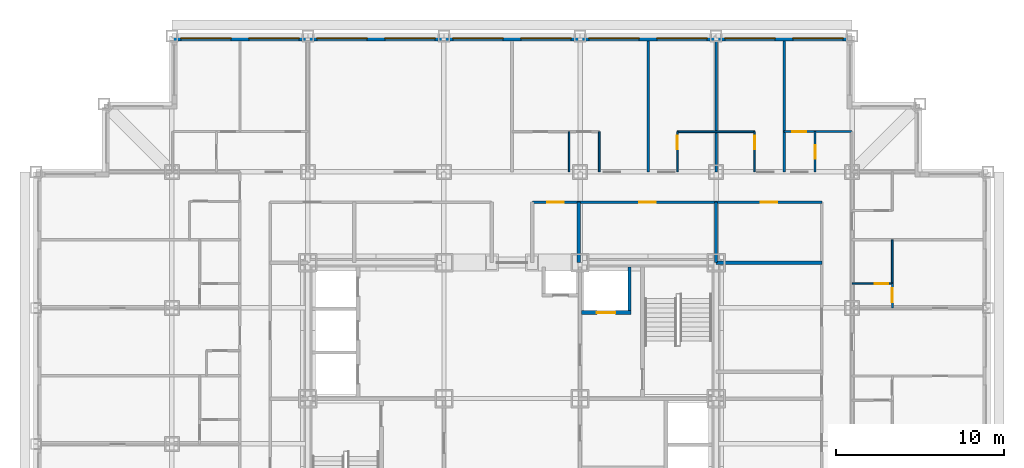
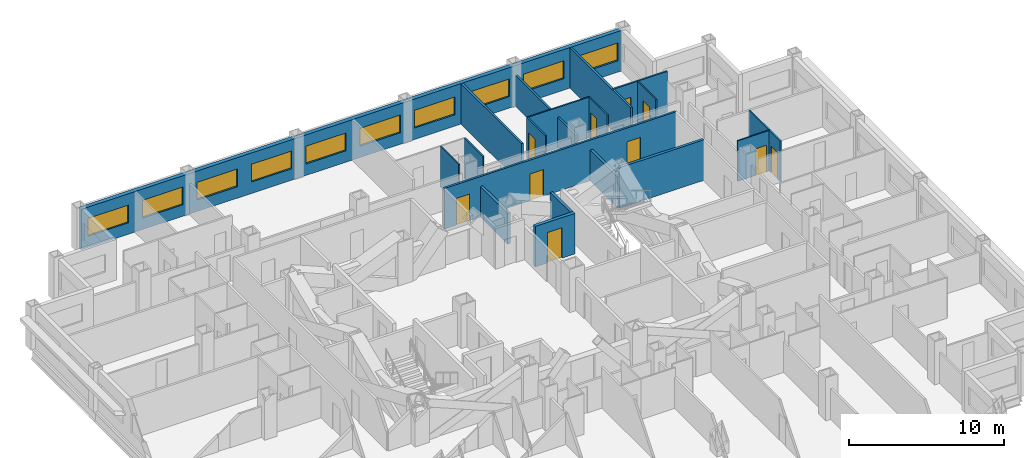
# One storey, part 10 of 12: 20 walls, 10 doors, 10 windows, 20 openings.
"""IFC4 building model written with IfcOpenShell, lengths in metres."""

from ifc_helpers import new_model, si_unit, direction, frame, frame_2d, origin, place, context, subcontext, project, spatial, rectangle, extrude, material, layer, layer_set, type_object, element, fill, save


model = new_model("IFC4")

# Units and contexts
model_context = context("Model", 3, precision=1e-05, world=origin(), true_north=direction((0.0, 1.0)))
body_context = subcontext(model_context, "Body", "Model", "MODEL_VIEW")
ifc_project = project(units=[si_unit("LENGTHUNIT", "METRE"), si_unit("AREAUNIT", "SQUARE_METRE"), si_unit("VOLUMEUNIT", "CUBIC_METRE"), si_unit("PLANEANGLEUNIT", "RADIAN"), si_unit("MASSUNIT", "GRAM", prefix="KILO")], contexts=[model_context])

# Site, building, storey
site_placement = place(None, origin())
site = spatial("IfcSite", under=ifc_project, at=site_placement, CompositionType="ELEMENT")
building_placement = place(site_placement, origin())
building = spatial("IfcBuilding", under=site, at=building_placement, Name="Kopane Lantern Tower", CompositionType="ELEMENT")
storey_placement = place(building_placement, frame((0.0, 0.0, 147.60009765625)))
storey = spatial("IfcBuildingStorey", under=building, at=storey_placement, Name="L38", CompositionType="ELEMENT", Elevation=147.60009765625)

# Wall, opening, door
ifc_material_1 = material(Name="Gypsum board on steel studs", Category="steel")
ifc_layer_1 = layer(ifc_material_1, 0.1201171875)
ifc_layer_set_1 = layer_set([ifc_layer_1], Name="APARTMENT INTERNAL WALL 120")
wall_type_1 = type_object("IfcWallType", Name="APARTMENT INTERNAL WALL 120", PredefinedType="PARTITIONING", material=ifc_layer_set_1)
wall_1_placement = place(storey_placement, frame((44.550048828125, 48.300048828125, 0.0), z_axis=(0.0, 0.0, 1.0), x_axis=(1.0, 0.0, 0.0)))
wall_1 = element("IfcWall", 1, at=wall_1_placement, inside=storey, type_object=wall_type_1, Name="Apartment Internal Wall 120 L38", PredefinedType="PARTITIONING", context=body_context, shape_type="SweptSolid", body=[
    extrude(rectangle(XDim=4.050048828125, YDim=0.1201171875, at=frame_2d((2.02490234375, 0.0))), origin(), (0.0, 0.0, 1.0), 3.18994140625),
])
opening_1_placement = place(wall_1_placement, frame((0.47509765625, 0.0, 0.0)))
opening_1 = element("IfcOpeningElement", 2, at=opening_1_placement, cuts=wall_1, Name="Opening L38-068", PredefinedType="OPENING", context=body_context, shape_type="SweptSolid", body=[
    extrude(rectangle(XDim=0.85009765625, YDim=2.10009765625, at=frame_2d((0.425048828125, 1.050048828125))), frame((0.0, 0.070068359375, 0.0), z_axis=(0.0, -1.0, 0.0), x_axis=(1.0, 0.0, 0.0)), (0.0, 0.0, 1.0), 0.14013671875),
])
ifc_material_2 = material(Name="Timber door set", Category="wood")
door_type_1 = type_object("IfcDoorType", Name="DOOR D4 850x2100", OperationType="SINGLE_SWING_LEFT", PredefinedType="DOOR", material=ifc_material_2)
door_1_placement = place(opening_1_placement, origin())
door_1 = element("IfcDoor", 3, at=door_1_placement, inside=storey, type_object=door_type_1, Name="Door L38-068", OperationType="SINGLE_SWING_LEFT", OverallHeight=2.10009765625, OverallWidth=0.85009765625, PredefinedType="DOOR", context=body_context, shape_type="SweptSolid", body=[
    extrude(rectangle(XDim=0.85009765625, YDim=2.10009765625, at=frame_2d((0.425048828125, 1.050048828125))), frame((0.0, 0.02490234375, 0.0), z_axis=(0.0, -1.0, 0.0), x_axis=(1.0, 0.0, 0.0)), (0.0, 0.0, 1.0), 0.050048828125),
])
fill(opening_1, door_1)

wall_2_placement = place(storey_placement, frame((51.0, 39.260009765625, 0.0), z_axis=(0.0, 0.0, 1.0), x_axis=(0.0, -1.0, 0.0)))
wall_2 = element("IfcWall", 4, at=wall_2_placement, inside=storey, type_object=wall_type_1, Name="Apartment Internal Wall 120 L38", PredefinedType="PARTITIONING", context=body_context, shape_type="SweptSolid", body=[
    extrude(rectangle(XDim=1.4599609375, YDim=0.1201171875, at=frame_2d((0.72998046875, 0.0))), origin(), (0.0, 0.0, 1.0), 3.18994140625),
])
opening_2_placement = place(wall_2_placement, frame((0.27490234375, 0.0, 0.0)))
opening_2 = element("IfcOpeningElement", 5, at=opening_2_placement, cuts=wall_2, Name="Opening L38-080", PredefinedType="OPENING", context=body_context, shape_type="SweptSolid", body=[
    extrude(rectangle(XDim=0.85009765625, YDim=2.10009765625, at=frame_2d((0.425048828125, 1.050048828125))), frame((0.0, 0.070068359375, 0.0), z_axis=(0.0, -1.0, 0.0), x_axis=(1.0, 0.0, 0.0)), (0.0, 0.0, 1.0), 0.14013671875),
])
door_2_placement = place(opening_2_placement, origin())
door_2 = element("IfcDoor", 6, at=door_2_placement, inside=storey, type_object=door_type_1, Name="Door L38-080", OperationType="SINGLE_SWING_RIGHT", OverallHeight=2.10009765625, OverallWidth=0.85009765625, PredefinedType="DOOR", context=body_context, shape_type="SweptSolid", body=[
    extrude(rectangle(XDim=0.85009765625, YDim=2.10009765625, at=frame_2d((0.425048828125, 1.050048828125))), frame((0.0, 0.02490234375, 0.0), z_axis=(0.0, -1.0, 0.0), x_axis=(1.0, 0.0, 0.0)), (0.0, 0.0, 1.0), 0.050048828125),
])
fill(opening_2, door_2)

# Walls
ifc_material_3 = material(Name="Moisture-resistant board on steel studs", Category="steel")
ifc_layer_2 = layer(ifc_material_3, 0.10009765625)
ifc_layer_set_2 = layer_set([ifc_layer_2], Name="BATHROOM WALL 100")
wall_type_2 = type_object("IfcWallType", Name="BATHROOM WALL 100", PredefinedType="PARTITIONING", material=ifc_layer_set_2)
for number, where, z_axis, x_axis, name in (
    (7, (31.75, 45.89990234375, 0.0), (0.0, 0.0, 1.0), (0.0, 1.0, 0.0), "Bathroom Wall 100 L38"),
    (8, (33.550048828125, 45.89990234375, 0.0), (0.0, 0.0, 1.0), (0.0, 1.0, 0.0), "Bathroom Wall 100 L38"),
):
    element("IfcWall", number, at=place(storey_placement, frame(where, z_axis=z_axis, x_axis=x_axis)), inside=storey, type_object=wall_type_2, Name=name, PredefinedType="PARTITIONING", context=body_context, shape_type="SweptSolid", body=[
        extrude(rectangle(XDim=2.400146484375, YDim=0.10009765625, at=frame_2d((1.2001953125, 0.0))), origin(), (0.0, 0.0, 1.0), 3.18994140625),
    ])
wall_3_placement = place(storey_placement, frame((38.199951171875, 48.300048828125, 0.0), z_axis=(0.0, 0.0, 1.0), x_axis=(1.0, 0.0, 0.0)))
element("IfcWall", 9, at=wall_3_placement, inside=storey, type_object=wall_type_2, Name="Bathroom Wall 100 L38", PredefinedType="PARTITIONING", context=body_context, shape_type="SweptSolid", body=[
    extrude(rectangle(XDim=4.60009765625, YDim=0.10009765625, at=frame_2d((2.300048828125, 0.0))), origin(), (0.0, 0.0, 1.0), 3.18994140625),
])

# Wall, opening, door
wall_4_placement = place(storey_placement, frame((38.199951171875, 45.89990234375, 0.0), z_axis=(0.0, 0.0, 1.0), x_axis=(0.0, 1.0, 0.0)))
wall_4 = element("IfcWall", 10, at=wall_4_placement, inside=storey, type_object=wall_type_2, Name="Bathroom Wall 100 L38", PredefinedType="PARTITIONING", context=body_context, shape_type="SweptSolid", body=[
    extrude(rectangle(XDim=2.400146484375, YDim=0.10009765625, at=frame_2d((1.2001953125, 0.0))), origin(), (0.0, 0.0, 1.0), 3.18994140625),
])
opening_3_placement = place(wall_4_placement, frame((1.35009765625, 0.0, 0.0)))
opening_3 = element("IfcOpeningElement", 11, at=opening_3_placement, cuts=wall_4, Name="Opening L38-030", PredefinedType="OPENING", context=body_context, shape_type="SweptSolid", body=[
    extrude(rectangle(XDim=0.800048828125, YDim=2.10009765625, at=frame_2d((0.39990234375, 1.050048828125))), frame((0.0, 0.06005859375, 0.0), z_axis=(0.0, -1.0, 0.0), x_axis=(1.0, 0.0, 0.0)), (0.0, 0.0, 1.0), 0.1201171875),
])
ifc_material_4 = material(Name="Timber door set", Category="wood")
door_type_2 = type_object("IfcDoorType", Name="DOOR D2 800x2100", OperationType="SINGLE_SWING_LEFT", PredefinedType="DOOR", material=ifc_material_4)
door_3_placement = place(opening_3_placement, origin())
door_3 = element("IfcDoor", 12, at=door_3_placement, inside=storey, type_object=door_type_2, Name="Door L38-030", OperationType="SINGLE_SWING_LEFT", OverallHeight=2.10009765625, OverallWidth=0.800048828125, PredefinedType="DOOR", context=body_context, shape_type="SweptSolid", body=[
    extrude(rectangle(XDim=0.800048828125, YDim=2.10009765625, at=frame_2d((0.39990234375, 1.050048828125))), frame((0.0, 0.02490234375, 0.0), z_axis=(0.0, -1.0, 0.0), x_axis=(1.0, 0.0, 0.0)), (0.0, 0.0, 1.0), 0.050048828125),
])
fill(opening_3, door_3)

wall_5_placement = place(storey_placement, frame((42.800048828125, 45.89990234375, 0.0), z_axis=(0.0, 0.0, 1.0), x_axis=(0.0, 1.0, 0.0)))
wall_5 = element("IfcWall", 13, at=wall_5_placement, inside=storey, type_object=wall_type_2, Name="Bathroom Wall 100 L38", PredefinedType="PARTITIONING", context=body_context, shape_type="SweptSolid", body=[
    extrude(rectangle(XDim=2.400146484375, YDim=0.10009765625, at=frame_2d((1.2001953125, 0.0))), origin(), (0.0, 0.0, 1.0), 3.18994140625),
])
opening_4_placement = place(wall_5_placement, frame((1.35009765625, 0.0, 0.0)))
opening_4 = element("IfcOpeningElement", 14, at=opening_4_placement, cuts=wall_5, Name="Opening L38-032", PredefinedType="OPENING", context=body_context, shape_type="SweptSolid", body=[
    extrude(rectangle(XDim=0.800048828125, YDim=2.10009765625, at=frame_2d((0.39990234375, 1.050048828125))), frame((0.0, 0.06005859375, 0.0), z_axis=(0.0, -1.0, 0.0), x_axis=(1.0, 0.0, 0.0)), (0.0, 0.0, 1.0), 0.1201171875),
])
door_4_placement = place(opening_4_placement, origin())
door_4 = element("IfcDoor", 15, at=door_4_placement, inside=storey, type_object=door_type_2, Name="Door L38-032", OperationType="SINGLE_SWING_RIGHT", OverallHeight=2.10009765625, OverallWidth=0.800048828125, PredefinedType="DOOR", context=body_context, shape_type="SweptSolid", body=[
    extrude(rectangle(XDim=0.800048828125, YDim=2.10009765625, at=frame_2d((0.39990234375, 1.050048828125))), frame((0.0, 0.02490234375, 0.0), z_axis=(0.0, -1.0, 0.0), x_axis=(1.0, 0.0, 0.0)), (0.0, 0.0, 1.0), 0.050048828125),
])
fill(opening_4, door_4)

# Wall
wall_6_placement = place(storey_placement, frame((51.0, 39.25, 0.0), z_axis=(0.0, 0.0, 1.0), x_axis=(0.0, 1.0, 0.0)))
element("IfcWall", 16, at=wall_6_placement, inside=storey, type_object=wall_type_2, Name="Bathroom Wall 100 L38", PredefinedType="PARTITIONING", context=body_context, shape_type="SweptSolid", body=[
    extrude(rectangle(XDim=2.60009765625, YDim=0.10009765625, at=frame_2d((1.300048828125, 0.0))), origin(), (0.0, 0.0, 1.0), 3.18994140625),
])

# Wall, opening, door
wall_7_placement = place(storey_placement, frame((48.60009765625, 39.25, 0.0), z_axis=(0.0, 0.0, 1.0), x_axis=(1.0, 0.0, 0.0)))
wall_7 = element("IfcWall", 17, at=wall_7_placement, inside=storey, type_object=wall_type_2, Name="Bathroom Wall 100 L38", PredefinedType="PARTITIONING", context=body_context, shape_type="SweptSolid", body=[
    extrude(rectangle(XDim=2.39990234375, YDim=0.10009765625, at=frame_2d((1.199951171875, 0.0))), origin(), (0.0, 0.0, 1.0), 3.18994140625),
])
opening_5_placement = place(wall_7_placement, frame((1.35009765625, 0.0, 0.0)))
opening_5 = element("IfcOpeningElement", 18, at=opening_5_placement, cuts=wall_7, Name="Opening L38-052", PredefinedType="OPENING", context=body_context, shape_type="SweptSolid", body=[
    extrude(rectangle(XDim=0.800048828125, YDim=2.10009765625, at=frame_2d((0.39990234375, 1.050048828125))), frame((0.0, 0.06005859375, 0.0), z_axis=(0.0, -1.0, 0.0), x_axis=(1.0, 0.0, 0.0)), (0.0, 0.0, 1.0), 0.1201171875),
])
door_5_placement = place(opening_5_placement, origin())
door_5 = element("IfcDoor", 19, at=door_5_placement, inside=storey, type_object=door_type_2, Name="Door L38-052", OperationType="SINGLE_SWING_LEFT", OverallHeight=2.10009765625, OverallWidth=0.800048828125, PredefinedType="DOOR", context=body_context, shape_type="SweptSolid", body=[
    extrude(rectangle(XDim=0.800048828125, YDim=2.10009765625, at=frame_2d((0.39990234375, 1.050048828125))), frame((0.0, 0.02490234375, 0.0), z_axis=(0.0, -1.0, 0.0), x_axis=(1.0, 0.0, 0.0)), (0.0, 0.0, 1.0), 0.050048828125),
])
fill(opening_5, door_5)

wall_8_placement = place(storey_placement, frame((46.39990234375, 45.89990234375, 0.0), z_axis=(0.0, 0.0, 1.0), x_axis=(0.0, 1.0, 0.0)))
wall_8 = element("IfcWall", 20, at=wall_8_placement, inside=storey, type_object=wall_type_2, Name="Bathroom Wall 100 L38", PredefinedType="PARTITIONING", context=body_context, shape_type="SweptSolid", body=[
    extrude(rectangle(XDim=2.400146484375, YDim=0.10009765625, at=frame_2d((1.2001953125, 0.0))), origin(), (0.0, 0.0, 1.0), 3.18994140625),
])
opening_6_placement = place(wall_8_placement, frame((0.800048828125, 0.0, 0.0)))
opening_6 = element("IfcOpeningElement", 21, at=opening_6_placement, cuts=wall_8, Name="Opening L38-066", PredefinedType="OPENING", context=body_context, shape_type="SweptSolid", body=[
    extrude(rectangle(XDim=0.800048828125, YDim=2.10009765625, at=frame_2d((0.39990234375, 1.050048828125))), frame((0.0, 0.06005859375, 0.0), z_axis=(0.0, -1.0, 0.0), x_axis=(1.0, 0.0, 0.0)), (0.0, 0.0, 1.0), 0.1201171875),
])
door_6_placement = place(opening_6_placement, origin())
door_6 = element("IfcDoor", 22, at=door_6_placement, inside=storey, type_object=door_type_2, Name="Door L38-066", OperationType="SINGLE_SWING_RIGHT", OverallHeight=2.10009765625, OverallWidth=0.800048828125, PredefinedType="DOOR", context=body_context, shape_type="SweptSolid", body=[
    extrude(rectangle(XDim=0.800048828125, YDim=2.10009765625, at=frame_2d((0.39990234375, 1.050048828125))), frame((0.0, 0.02490234375, 0.0), z_axis=(0.0, -1.0, 0.0), x_axis=(1.0, 0.0, 0.0)), (0.0, 0.0, 1.0), 0.050048828125),
])
fill(opening_6, door_6)

ifc_material_5 = material(Name="Gypsum shaft wall EI 120", Category="gypsum")
ifc_layer_3 = layer(ifc_material_5, 0.25)
ifc_layer_set_3 = layer_set([ifc_layer_3], Name="CORE SHAFT WALL 250 EI 120")
wall_type_3 = type_object("IfcWallType", Name="CORE SHAFT WALL 250 EI 120", PredefinedType="SOLIDWALL", material=ifc_layer_set_3)
wall_9_placement = place(storey_placement, frame((32.5, 37.52490234375, 0.0), z_axis=(0.0, 0.0, 1.0), x_axis=(1.0, 0.0, 0.0)))
wall_9 = element("IfcWall", 23, at=wall_9_placement, inside=storey, type_object=wall_type_3, Name="Core shaft wall L38 YLF2", PredefinedType="SOLIDWALL", context=body_context, shape_type="SweptSolid", body=[
    extrude(rectangle(XDim=2.949951171875, YDim=0.25, at=frame_2d((1.47509765625, 0.0))), origin(), (0.0, 0.0, 1.0), 3.18994140625),
])
opening_7_placement = place(wall_9_placement, frame((0.89990234375, 0.0, 0.0)))
opening_7 = element("IfcOpeningElement", 24, at=opening_7_placement, cuts=wall_9, Name="Opening 38.LD-LF2", PredefinedType="OPENING", context=body_context, shape_type="SweptSolid", body=[
    extrude(rectangle(XDim=1.10009765625, YDim=2.39990234375, at=frame_2d((0.550048828125, 1.199951171875))), frame((0.0, 0.135009765625, 0.0), z_axis=(0.0, -1.0, 0.0), x_axis=(1.0, 0.0, 0.0)), (0.0, 0.0, 1.0), 0.27001953125),
])
ifc_material_6 = material(Name="Steel door set", Category="steel")
door_type_3 = type_object("IfcDoorType", Name="LIFT LANDING DOOR 1100x2400 FD60", OperationType="DOUBLE_DOOR_SLIDING", PredefinedType="DOOR", material=ifc_material_6)
door_7_placement = place(opening_7_placement, origin())
door_7 = element("IfcDoor", 25, at=door_7_placement, inside=storey, type_object=door_type_3, Name="Landing door LF2 L38", OperationType="DOUBLE_DOOR_SLIDING", OverallHeight=2.39990234375, OverallWidth=1.10009765625, PredefinedType="DOOR", context=body_context, shape_type="SweptSolid", body=[
    extrude(rectangle(XDim=1.10009765625, YDim=2.39990234375, at=frame_2d((0.550048828125, 1.199951171875))), frame((0.0, 0.02490234375, 0.0), z_axis=(0.0, -1.0, 0.0), x_axis=(1.0, 0.0, 0.0)), (0.0, 0.0, 1.0), 0.050048828125),
])
fill(opening_7, door_7)

# Wall, openings, doors
ifc_material_7 = material(Name="Gypsum board on steel studs", Category="steel")
ifc_layer_4 = layer(ifc_material_7, 0.14990234375)
ifc_layer_set_4 = layer_set([ifc_layer_4], Name="CORRIDOR WALL 150 EI 60")
wall_type_4 = type_object("IfcWallType", Name="CORRIDOR WALL 150 EI 60", PredefinedType="PARTITIONING", material=ifc_layer_set_4)
wall_10_placement = place(storey_placement, frame((46.800048828125, 44.10009765625, 0.0), z_axis=(0.0, 0.0, 1.0), x_axis=(-1.0, 0.0, 0.0)))
wall_10 = element("IfcWall", 26, at=wall_10_placement, inside=storey, type_object=wall_type_4, Name="Corridor Wall 150 Ei 60 L38", PredefinedType="PARTITIONING", context=body_context, shape_type="SweptSolid", body=[
    extrude(rectangle(XDim=17.239990234375, YDim=0.14990234375, at=frame_2d((8.6201171875, 0.0))), origin(), (0.0, 0.0, 1.0), 3.18994140625),
])
opening_8_placement = place(wall_10_placement, frame((15.361083984375, 0.0, 0.0)))
opening_8 = element("IfcOpeningElement", 27, at=opening_8_placement, cuts=wall_10, Name="Opening L38-009", PredefinedType="OPENING", context=body_context, shape_type="SweptSolid", body=[
    extrude(rectangle(XDim=1.0, YDim=2.10009765625, at=frame_2d((0.5, 1.050048828125))), frame((0.0, 0.0849609375, 0.0), z_axis=(0.0, -1.0, 0.0), x_axis=(1.0, 0.0, 0.0)), (0.0, 0.0, 1.0), 0.169921875),
])
opening_9_placement = place(wall_10_placement, frame((9.885986328125, 0.0, 0.0)))
opening_9 = element("IfcOpeningElement", 28, at=opening_9_placement, cuts=wall_10, Name="Opening L38-010", PredefinedType="OPENING", context=body_context, shape_type="SweptSolid", body=[
    extrude(rectangle(XDim=1.0, YDim=2.10009765625, at=frame_2d((0.5, 1.050048828125))), frame((0.0, 0.0849609375, 0.0), z_axis=(0.0, -1.0, 0.0), x_axis=(1.0, 0.0, 0.0)), (0.0, 0.0, 1.0), 0.169921875),
])
opening_10_placement = place(wall_10_placement, frame((2.64990234375, 0.0, 0.0)))
opening_10 = element("IfcOpeningElement", 29, at=opening_10_placement, cuts=wall_10, Name="Opening L38-011", PredefinedType="OPENING", context=body_context, shape_type="SweptSolid", body=[
    extrude(rectangle(XDim=1.0, YDim=2.10009765625, at=frame_2d((0.5, 1.050048828125))), frame((0.0, 0.0849609375, 0.0), z_axis=(0.0, -1.0, 0.0), x_axis=(1.0, 0.0, 0.0)), (0.0, 0.0, 1.0), 0.169921875),
])
ifc_material_8 = material(Name="Steel door set", Category="steel")
door_type_4 = type_object("IfcDoorType", Name="DOOR D5 1000x2100 FD60", OperationType="SINGLE_SWING_LEFT", PredefinedType="DOOR", material=ifc_material_8)
door_8_placement = place(opening_8_placement, origin())
door_8 = element("IfcDoor", 30, at=door_8_placement, inside=storey, type_object=door_type_4, Name="Door L38-009", OperationType="SINGLE_SWING_LEFT", OverallHeight=2.10009765625, OverallWidth=1.0, PredefinedType="DOOR", context=body_context, shape_type="SweptSolid", body=[
    extrude(rectangle(XDim=1.0, YDim=2.10009765625, at=frame_2d((0.5, 1.050048828125))), frame((0.0, 0.02490234375, 0.0), z_axis=(0.0, -1.0, 0.0), x_axis=(1.0, 0.0, 0.0)), (0.0, 0.0, 1.0), 0.050048828125),
])
fill(opening_8, door_8)
door_9_placement = place(opening_9_placement, origin())
door_9 = element("IfcDoor", 31, at=door_9_placement, inside=storey, type_object=door_type_4, Name="Door L38-010", OperationType="SINGLE_SWING_RIGHT", OverallHeight=2.10009765625, OverallWidth=1.0, PredefinedType="DOOR", context=body_context, shape_type="SweptSolid", body=[
    extrude(rectangle(XDim=1.0, YDim=2.10009765625, at=frame_2d((0.5, 1.050048828125))), frame((0.0, 0.02490234375, 0.0), z_axis=(0.0, -1.0, 0.0), x_axis=(1.0, 0.0, 0.0)), (0.0, 0.0, 1.0), 0.050048828125),
])
fill(opening_9, door_9)
door_10_placement = place(opening_10_placement, origin())
door_10 = element("IfcDoor", 32, at=door_10_placement, inside=storey, type_object=door_type_4, Name="Door L38-011", OperationType="SINGLE_SWING_LEFT", OverallHeight=2.10009765625, OverallWidth=1.0, PredefinedType="DOOR", context=body_context, shape_type="SweptSolid", body=[
    extrude(rectangle(XDim=1.0, YDim=2.10009765625, at=frame_2d((0.5, 1.050048828125))), frame((0.0, 0.02490234375, 0.0), z_axis=(0.0, -1.0, 0.0), x_axis=(1.0, 0.0, 0.0)), (0.0, 0.0, 1.0), 0.050048828125),
])
fill(opening_10, door_10)

# Walls
ifc_material_9 = material(Name="Gypsum board on steel studs", Category="steel")
ifc_layer_5 = layer(ifc_material_9, 0.14990234375)
ifc_layer_set_5 = layer_set([ifc_layer_5], Name="DEMISING WALL 150 EI 60")
wall_type_5 = type_object("IfcWallType", Name="DEMISING WALL 150 EI 60", PredefinedType="PARTITIONING", material=ifc_layer_set_5)
wall_11_placement = place(storey_placement, frame((36.449951171875, 45.89990234375, 0.0), z_axis=(0.0, 0.0, 1.0), x_axis=(0.0, 1.0, 0.0)))
element("IfcWall", 33, at=wall_11_placement, inside=storey, type_object=wall_type_5, Name="Demising Wall 150 Ei 60 L38", PredefinedType="PARTITIONING", context=body_context, shape_type="SweptSolid", body=[
    extrude(rectangle(XDim=7.800048828125, YDim=0.14990234375, at=frame_2d((3.89990234375, 0.0))), origin(), (0.0, 0.0, 1.0), 3.18994140625),
])
wall_12_placement = place(storey_placement, frame((40.5, 45.89990234375, 0.0), z_axis=(0.0, 0.0, 1.0), x_axis=(0.0, 1.0, 0.0)))
element("IfcWall", 34, at=wall_12_placement, inside=storey, type_object=wall_type_5, Name="Demising Wall 150 Ei 60 L38", PredefinedType="PARTITIONING", context=body_context, shape_type="SweptSolid", body=[
    extrude(rectangle(XDim=7.800048828125, YDim=0.14990234375, at=frame_2d((3.89990234375, 0.0))), origin(), (0.0, 0.0, 1.0), 2.420166015625),
])
wall_13_placement = place(storey_placement, frame((44.550048828125, 45.89990234375, 0.0), z_axis=(0.0, 0.0, 1.0), x_axis=(0.0, 1.0, 0.0)))
element("IfcWall", 35, at=wall_13_placement, inside=storey, type_object=wall_type_5, Name="Demising Wall 150 Ei 60 L38", PredefinedType="PARTITIONING", context=body_context, shape_type="SweptSolid", body=[
    extrude(rectangle(XDim=7.800048828125, YDim=0.14990234375, at=frame_2d((3.89990234375, 0.0))), origin(), (0.0, 0.0, 1.0), 3.18994140625),
])

# Wall, openings, windows
ifc_material_10 = material(Name="Terracotta rainscreen on light steel framing", Category="masonry")
ifc_layer_6 = layer(ifc_material_10, 0.300048828125)
ifc_layer_set_6 = layer_set([ifc_layer_6], Name="EXTERNAL WALL EW1 300 TERRACOTTA")
wall_type_6 = type_object("IfcWallType", Name="EXTERNAL WALL EW1 300 TERRACOTTA", PredefinedType="SOLIDWALL", material=ifc_layer_set_6)
wall_14_placement = place(storey_placement, frame((48.300048828125, 53.85009765625, 0.0), z_axis=(0.0, 0.0, 1.0), x_axis=(-1.0, 0.0, 0.0)))
wall_14 = element("IfcWall", 36, at=wall_14_placement, inside=storey, type_object=wall_type_6, Name="External wall N L38", PredefinedType="SOLIDWALL", context=body_context, shape_type="SweptSolid", body=[
    extrude(rectangle(XDim=40.199951171875, YDim=0.300048828125, at=frame_2d((20.10009765625, 0.0))), origin(), (0.0, 0.0, 1.0), 3.18994140625),
])
opening_11_placement = place(wall_14_placement, frame((0.22509765625, 0.0, 0.89990234375)))
opening_11 = element("IfcOpeningElement", 37, at=opening_11_placement, cuts=wall_14, Name="Opening WR300140", PredefinedType="OPENING", context=body_context, shape_type="SweptSolid", body=[
    extrude(rectangle(XDim=3.0, YDim=1.39990234375, at=frame_2d((1.5, 0.699951171875))), frame((0.0, 0.159912109375, 0.0), z_axis=(0.0, -1.0, 0.0), x_axis=(1.0, 0.0, 0.0)), (0.0, 0.0, 1.0), 0.320068359375),
])
opening_12_placement = place(wall_14_placement, frame((4.27490234375, 0.0, 0.89990234375)))
opening_12 = element("IfcOpeningElement", 38, at=opening_12_placement, cuts=wall_14, Name="Opening WR300140", PredefinedType="OPENING", context=body_context, shape_type="SweptSolid", body=[
    extrude(rectangle(XDim=3.0, YDim=1.39990234375, at=frame_2d((1.5, 0.699951171875))), frame((0.0, 0.159912109375, 0.0), z_axis=(0.0, -1.0, 0.0), x_axis=(1.0, 0.0, 0.0)), (0.0, 0.0, 1.0), 0.320068359375),
])
opening_13_placement = place(wall_14_placement, frame((8.324951171875, 0.0, 0.89990234375)))
opening_13 = element("IfcOpeningElement", 39, at=opening_13_placement, cuts=wall_14, Name="Opening WR300140", PredefinedType="OPENING", context=body_context, shape_type="SweptSolid", body=[
    extrude(rectangle(XDim=3.0, YDim=1.39990234375, at=frame_2d((1.5, 0.699951171875))), frame((0.0, 0.159912109375, 0.0), z_axis=(0.0, -1.0, 0.0), x_axis=(1.0, 0.0, 0.0)), (0.0, 0.0, 1.0), 0.320068359375),
])
opening_14_placement = place(wall_14_placement, frame((12.375, 0.0, 0.89990234375)))
opening_14 = element("IfcOpeningElement", 40, at=opening_14_placement, cuts=wall_14, Name="Opening WR300140", PredefinedType="OPENING", context=body_context, shape_type="SweptSolid", body=[
    extrude(rectangle(XDim=3.0, YDim=1.39990234375, at=frame_2d((1.5, 0.699951171875))), frame((0.0, 0.159912109375, 0.0), z_axis=(0.0, -1.0, 0.0), x_axis=(1.0, 0.0, 0.0)), (0.0, 0.0, 1.0), 0.320068359375),
])
opening_15_placement = place(wall_14_placement, frame((16.425048828125, 0.0, 0.89990234375)))
opening_15 = element("IfcOpeningElement", 41, at=opening_15_placement, cuts=wall_14, Name="Opening WR300140", PredefinedType="OPENING", context=body_context, shape_type="SweptSolid", body=[
    extrude(rectangle(XDim=3.0, YDim=1.39990234375, at=frame_2d((1.5, 0.699951171875))), frame((0.0, 0.159912109375, 0.0), z_axis=(0.0, -1.0, 0.0), x_axis=(1.0, 0.0, 0.0)), (0.0, 0.0, 1.0), 0.320068359375),
])
opening_16_placement = place(wall_14_placement, frame((20.47509765625, 0.0, 0.89990234375)))
opening_16 = element("IfcOpeningElement", 42, at=opening_16_placement, cuts=wall_14, Name="Opening WR300140", PredefinedType="OPENING", context=body_context, shape_type="SweptSolid", body=[
    extrude(rectangle(XDim=3.0, YDim=1.39990234375, at=frame_2d((1.5, 0.699951171875))), frame((0.0, 0.159912109375, 0.0), z_axis=(0.0, -1.0, 0.0), x_axis=(1.0, 0.0, 0.0)), (0.0, 0.0, 1.0), 0.320068359375),
])
opening_17_placement = place(wall_14_placement, frame((24.52490234375, 0.0, 0.89990234375)))
opening_17 = element("IfcOpeningElement", 43, at=opening_17_placement, cuts=wall_14, Name="Opening WR300140", PredefinedType="OPENING", context=body_context, shape_type="SweptSolid", body=[
    extrude(rectangle(XDim=3.0, YDim=1.39990234375, at=frame_2d((1.5, 0.699951171875))), frame((0.0, 0.159912109375, 0.0), z_axis=(0.0, -1.0, 0.0), x_axis=(1.0, 0.0, 0.0)), (0.0, 0.0, 1.0), 0.320068359375),
])
opening_18_placement = place(wall_14_placement, frame((28.574951171875, 0.0, 0.89990234375)))
opening_18 = element("IfcOpeningElement", 44, at=opening_18_placement, cuts=wall_14, Name="Opening WR300140", PredefinedType="OPENING", context=body_context, shape_type="SweptSolid", body=[
    extrude(rectangle(XDim=3.0, YDim=1.39990234375, at=frame_2d((1.5, 0.699951171875))), frame((0.0, 0.159912109375, 0.0), z_axis=(0.0, -1.0, 0.0), x_axis=(1.0, 0.0, 0.0)), (0.0, 0.0, 1.0), 0.320068359375),
])
opening_19_placement = place(wall_14_placement, frame((32.625, 0.0, 0.89990234375)))
opening_19 = element("IfcOpeningElement", 45, at=opening_19_placement, cuts=wall_14, Name="Opening WR300140", PredefinedType="OPENING", context=body_context, shape_type="SweptSolid", body=[
    extrude(rectangle(XDim=3.0, YDim=1.39990234375, at=frame_2d((1.5, 0.699951171875))), frame((0.0, 0.159912109375, 0.0), z_axis=(0.0, -1.0, 0.0), x_axis=(1.0, 0.0, 0.0)), (0.0, 0.0, 1.0), 0.320068359375),
])
opening_20_placement = place(wall_14_placement, frame((36.675048828125, 0.0, 0.89990234375)))
opening_20 = element("IfcOpeningElement", 46, at=opening_20_placement, cuts=wall_14, Name="Opening WR300140", PredefinedType="OPENING", context=body_context, shape_type="SweptSolid", body=[
    extrude(rectangle(XDim=3.0, YDim=1.39990234375, at=frame_2d((1.5, 0.699951171875))), frame((0.0, 0.159912109375, 0.0), z_axis=(0.0, -1.0, 0.0), x_axis=(1.0, 0.0, 0.0)), (0.0, 0.0, 1.0), 0.320068359375),
])
ifc_material_11 = material(Name="Aluminium and clear glass", Category="aluminium")
window_type = type_object("IfcWindowType", Name="RIBBON WINDOW WR300140 3000x1400", PartitioningType="SINGLE_PANEL", PredefinedType="WINDOW", material=ifc_material_11)
window_1_placement = place(opening_11_placement, origin())
window_1 = element("IfcWindow", 47, at=window_1_placement, inside=storey, type_object=window_type, Name="Window N L38", OverallHeight=1.39990234375, OverallWidth=3.0, PartitioningType="SINGLE_PANEL", PredefinedType="WINDOW", context=body_context, shape_type="SweptSolid", body=[
    extrude(rectangle(XDim=3.0, YDim=1.39990234375, at=frame_2d((1.5, 0.699951171875))), frame((0.0, 0.030029296875, 0.0), z_axis=(0.0, -1.0, 0.0), x_axis=(1.0, 0.0, 0.0)), (0.0, 0.0, 1.0), 0.06005859375),
])
fill(opening_11, window_1)
window_2_placement = place(opening_12_placement, origin())
window_2 = element("IfcWindow", 48, at=window_2_placement, inside=storey, type_object=window_type, Name="Window N L38", OverallHeight=1.39990234375, OverallWidth=3.0, PartitioningType="SINGLE_PANEL", PredefinedType="WINDOW", context=body_context, shape_type="SweptSolid", body=[
    extrude(rectangle(XDim=3.0, YDim=1.39990234375, at=frame_2d((1.5, 0.699951171875))), frame((0.0, 0.030029296875, 0.0), z_axis=(0.0, -1.0, 0.0), x_axis=(1.0, 0.0, 0.0)), (0.0, 0.0, 1.0), 0.06005859375),
])
fill(opening_12, window_2)
window_3_placement = place(opening_13_placement, origin())
window_3 = element("IfcWindow", 49, at=window_3_placement, inside=storey, type_object=window_type, Name="Window N L38", OverallHeight=1.39990234375, OverallWidth=3.0, PartitioningType="SINGLE_PANEL", PredefinedType="WINDOW", context=body_context, shape_type="SweptSolid", body=[
    extrude(rectangle(XDim=3.0, YDim=1.39990234375, at=frame_2d((1.5, 0.699951171875))), frame((0.0, 0.030029296875, 0.0), z_axis=(0.0, -1.0, 0.0), x_axis=(1.0, 0.0, 0.0)), (0.0, 0.0, 1.0), 0.06005859375),
])
fill(opening_13, window_3)
window_4_placement = place(opening_14_placement, origin())
window_4 = element("IfcWindow", 50, at=window_4_placement, inside=storey, type_object=window_type, Name="Window N L38", OverallHeight=1.39990234375, OverallWidth=3.0, PartitioningType="SINGLE_PANEL", PredefinedType="WINDOW", context=body_context, shape_type="SweptSolid", body=[
    extrude(rectangle(XDim=3.0, YDim=1.39990234375, at=frame_2d((1.5, 0.699951171875))), frame((0.0, 0.030029296875, 0.0), z_axis=(0.0, -1.0, 0.0), x_axis=(1.0, 0.0, 0.0)), (0.0, 0.0, 1.0), 0.06005859375),
])
fill(opening_14, window_4)
window_5_placement = place(opening_15_placement, origin())
window_5 = element("IfcWindow", 51, at=window_5_placement, inside=storey, type_object=window_type, Name="Window N L38", OverallHeight=1.39990234375, OverallWidth=3.0, PartitioningType="SINGLE_PANEL", PredefinedType="WINDOW", context=body_context, shape_type="SweptSolid", body=[
    extrude(rectangle(XDim=3.0, YDim=1.39990234375, at=frame_2d((1.5, 0.699951171875))), frame((0.0, 0.030029296875, 0.0), z_axis=(0.0, -1.0, 0.0), x_axis=(1.0, 0.0, 0.0)), (0.0, 0.0, 1.0), 0.06005859375),
])
fill(opening_15, window_5)
window_6_placement = place(opening_16_placement, origin())
window_6 = element("IfcWindow", 52, at=window_6_placement, inside=storey, type_object=window_type, Name="Window N L38", OverallHeight=1.39990234375, OverallWidth=3.0, PartitioningType="SINGLE_PANEL", PredefinedType="WINDOW", context=body_context, shape_type="SweptSolid", body=[
    extrude(rectangle(XDim=3.0, YDim=1.39990234375, at=frame_2d((1.5, 0.699951171875))), frame((0.0, 0.030029296875, 0.0), z_axis=(0.0, -1.0, 0.0), x_axis=(1.0, 0.0, 0.0)), (0.0, 0.0, 1.0), 0.06005859375),
])
fill(opening_16, window_6)
window_7_placement = place(opening_17_placement, origin())
window_7 = element("IfcWindow", 53, at=window_7_placement, inside=storey, type_object=window_type, Name="Window N L38", OverallHeight=1.39990234375, OverallWidth=3.0, PartitioningType="SINGLE_PANEL", PredefinedType="WINDOW", context=body_context, shape_type="SweptSolid", body=[
    extrude(rectangle(XDim=3.0, YDim=1.39990234375, at=frame_2d((1.5, 0.699951171875))), frame((0.0, 0.030029296875, 0.0), z_axis=(0.0, -1.0, 0.0), x_axis=(1.0, 0.0, 0.0)), (0.0, 0.0, 1.0), 0.06005859375),
])
fill(opening_17, window_7)
window_8_placement = place(opening_18_placement, origin())
window_8 = element("IfcWindow", 54, at=window_8_placement, inside=storey, type_object=window_type, Name="Window N L38", OverallHeight=1.39990234375, OverallWidth=3.0, PartitioningType="SINGLE_PANEL", PredefinedType="WINDOW", context=body_context, shape_type="SweptSolid", body=[
    extrude(rectangle(XDim=3.0, YDim=1.39990234375, at=frame_2d((1.5, 0.699951171875))), frame((0.0, 0.030029296875, 0.0), z_axis=(0.0, -1.0, 0.0), x_axis=(1.0, 0.0, 0.0)), (0.0, 0.0, 1.0), 0.06005859375),
])
fill(opening_18, window_8)
window_9_placement = place(opening_19_placement, origin())
window_9 = element("IfcWindow", 55, at=window_9_placement, inside=storey, type_object=window_type, Name="Window N L38", OverallHeight=1.39990234375, OverallWidth=3.0, PartitioningType="SINGLE_PANEL", PredefinedType="WINDOW", context=body_context, shape_type="SweptSolid", body=[
    extrude(rectangle(XDim=3.0, YDim=1.39990234375, at=frame_2d((1.5, 0.699951171875))), frame((0.0, 0.030029296875, 0.0), z_axis=(0.0, -1.0, 0.0), x_axis=(1.0, 0.0, 0.0)), (0.0, 0.0, 1.0), 0.06005859375),
])
fill(opening_19, window_9)
window_10_placement = place(opening_20_placement, origin())
window_10 = element("IfcWindow", 56, at=window_10_placement, inside=storey, type_object=window_type, Name="Window N L38", OverallHeight=1.39990234375, OverallWidth=3.0, PartitioningType="SINGLE_PANEL", PredefinedType="WINDOW", context=body_context, shape_type="SweptSolid", body=[
    extrude(rectangle(XDim=3.0, YDim=1.39990234375, at=frame_2d((1.5, 0.699951171875))), frame((0.0, 0.030029296875, 0.0), z_axis=(0.0, -1.0, 0.0), x_axis=(1.0, 0.0, 0.0)), (0.0, 0.0, 1.0), 0.06005859375),
])
fill(opening_20, window_10)

# Walls
ifc_material_12 = material(Name="Concrete masonry", Category="masonry")
ifc_layer_7 = layer(ifc_material_12, 0.199951171875)
ifc_layer_set_7 = layer_set([ifc_layer_7], Name="PLANT ROOM WALL 200 EI 120")
wall_type_7 = type_object("IfcWallType", Name="PLANT ROOM WALL 200 EI 120", PredefinedType="SOLIDWALL", material=ifc_layer_set_7)
for number, where, z_axis, x_axis, name in (
    (57, (40.5, 40.5, 0.0), (0.0, 0.0, 1.0), (0.0, 1.0, 0.0), "Plant Room Wall 200 Ei 120 L38"),
    (58, (32.327880859375, 44.10009765625, 0.0), (0.0, 0.0, 1.0), (0.0, -1.0, 0.0), "Plant Room Wall 200 Ei 120 L38"),
):
    element("IfcWall", number, at=place(storey_placement, frame(where, z_axis=z_axis, x_axis=x_axis)), inside=storey, type_object=wall_type_7, Name=name, PredefinedType="SOLIDWALL", context=body_context, shape_type="SweptSolid", body=[
        extrude(rectangle(XDim=3.60009765625, YDim=0.199951171875, at=frame_2d((1.800048828125, 0.0))), origin(), (0.0, 0.0, 1.0), 2.420166015625),
    ])
wall_15_placement = place(storey_placement, frame((40.5, 40.5, 0.0), z_axis=(0.0, 0.0, 1.0), x_axis=(1.0, 0.0, 0.0)))
element("IfcWall", 59, at=wall_15_placement, inside=storey, type_object=wall_type_7, Name="Plant Room Wall 200 Ei 120 L38", PredefinedType="SOLIDWALL", context=body_context, shape_type="SweptSolid", body=[
    extrude(rectangle(XDim=6.300048828125, YDim=0.199951171875, at=frame_2d((3.14990234375, 0.0))), origin(), (0.0, 0.0, 1.0), 3.18994140625),
])
ifc_material_13 = material(Name="Gypsum shaft wall EI 120", Category="gypsum")
ifc_layer_8 = layer(ifc_material_13, 0.199951171875)
ifc_layer_set_8 = layer_set([ifc_layer_8], Name="SHAFT WALL 200 EI 120")
wall_type_8 = type_object("IfcWallType", Name="SHAFT WALL 200 EI 120", PredefinedType="SOLIDWALL", material=ifc_layer_set_8)
wall_16_placement = place(storey_placement, frame((35.35009765625, 37.64990234375, 0.0), z_axis=(0.0, 0.0, 1.0), x_axis=(0.0, 1.0, 0.0)))
element("IfcWall", 60, at=wall_16_placement, inside=storey, type_object=wall_type_8, Name="Core shaft wall L38 XLF2", PredefinedType="SOLIDWALL", context=body_context, shape_type="SweptSolid", body=[
    extrude(rectangle(XDim=2.60009765625, YDim=0.199951171875, at=frame_2d((1.300048828125, 0.0))), origin(), (0.0, 0.0, 1.0), 3.18994140625),
])

save(model, "model.ifc")
